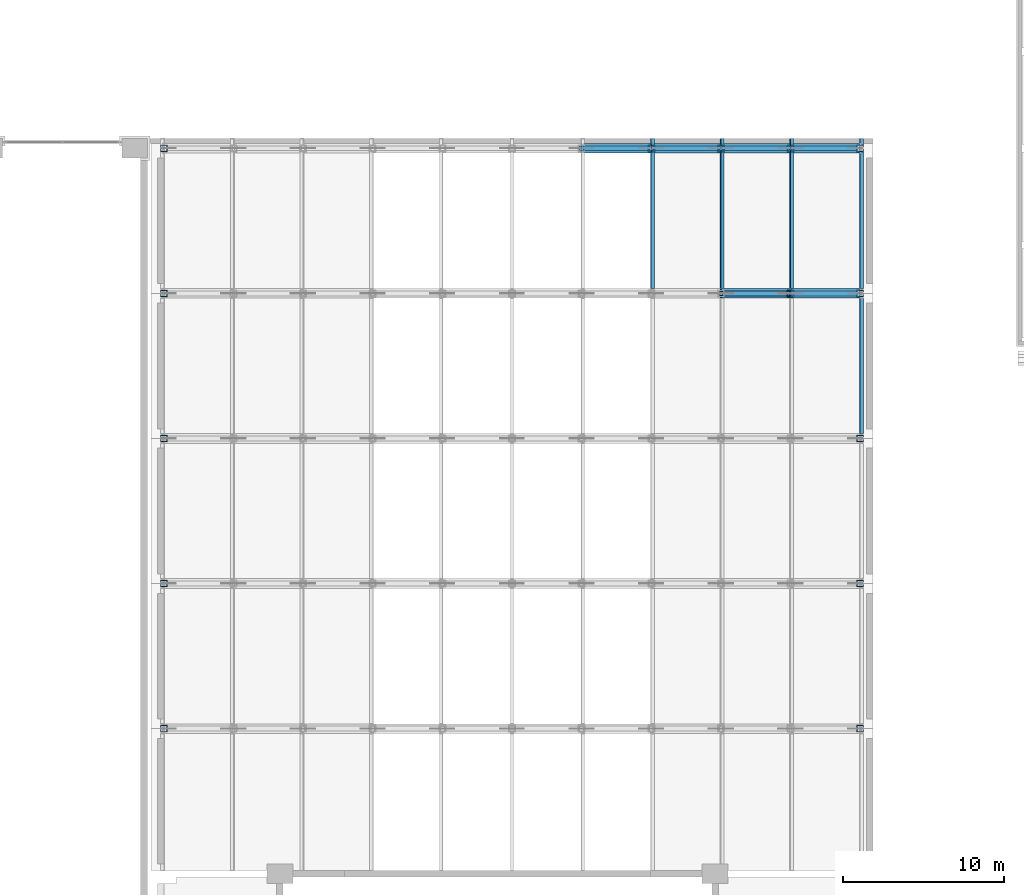
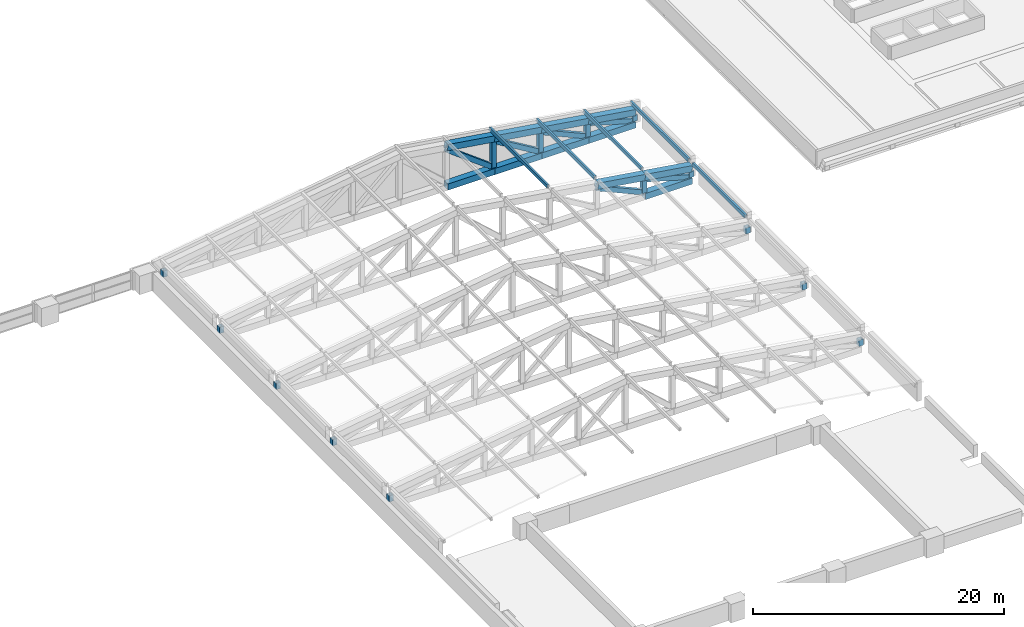
# One storey, part 14 of 32: 36 members.
"""IFC4 building model written with IfcOpenShell, lengths in metres."""

from ifc_helpers import new_model, si_unit, direction, frame, origin, origin_2d, place, context, subcontext, project, spatial, hollow_rectangle, extrude, material, material_profile, profile_set, type_object, element, save


model = new_model("IFC4")

# Units and contexts
model_context = context("Model", 3, precision=1e-05, world=origin(), true_north=direction((0.0, 1.0)))
body_context = subcontext(model_context, "Body", "Model", "MODEL_VIEW")
ifc_project = project(units=[si_unit("LENGTHUNIT", "METRE"), si_unit("AREAUNIT", "SQUARE_METRE"), si_unit("VOLUMEUNIT", "CUBIC_METRE"), si_unit("PLANEANGLEUNIT", "RADIAN"), si_unit("MASSUNIT", "GRAM", prefix="KILO")], contexts=[model_context])

# Site, building, storey
site_placement = place(None, origin())
site = spatial("IfcSite", under=ifc_project, at=site_placement, CompositionType="ELEMENT")
building_placement = place(site_placement, origin())
building = spatial("IfcBuilding", under=site, at=building_placement, Name="Aravalli Gate Trade Fair Centre", CompositionType="ELEMENT")
storey_placement = place(building_placement, frame((0.0, 0.0, 23.39990234375)))
storey = spatial("IfcBuildingStorey", under=building, at=storey_placement, Name="ROOF LEVEL 1", CompositionType="ELEMENT", Elevation=23.39990234375)

# Members
ifc_material = material(Name="Steel E350", Category="steel")
ifc_material_profile_1 = material_profile(ifc_material, hollow_rectangle(XDim=0.199951171875, YDim=0.300048828125, WallThickness=0.011962890625, at=origin_2d()), Name="RHS 300x200x12")
ifc_profile_set_1 = profile_set([ifc_material_profile_1], Name="Steel E350")
member_type_1 = type_object("IfcMemberType", Name="Congress roof purlin RHS 300x200x12", PredefinedType="PURLIN", material=ifc_profile_set_1)
for number, where, z_axis, x_axis, name in (
    (1, (137.10791015625, 100.300048828125, 3.9248046875), (0.0, 1.0, 0.0), (-0.988529762953, 0.0, 0.151026182356), "Roof purlin line 8 bay 5"),
    (2, (141.427978515625, 100.300048828125, 3.264892578125), (0.0, 1.0, 0.0), (-0.988529762953, 0.0, 0.151026182356), "Roof purlin line 9 bay 5"),
    (3, (145.748046875, 100.300048828125, 2.60498046875), (0.0, 1.0, 0.0), (-0.988529762953, 0.0, 0.151026182356), "Roof purlin line 10 bay 5"),
):
    element("IfcMember", number, at=place(storey_placement, frame(where, z_axis=z_axis, x_axis=x_axis)), inside=storey, type_object=member_type_1, Name=name, PredefinedType="PURLIN", context=body_context, shape_type="SweptSolid", body=[
        extrude(hollow_rectangle(XDim=0.199951171875, YDim=0.300048828125, WallThickness=0.011962890625, at=origin_2d()), origin(), (0.0, 0.0, 1.0), 9.300048828125),
    ])
member_1_placement = place(storey_placement, frame((150.068115234375, 91.300048828125, 1.94482421875), z_axis=(0.0, 1.0, 0.0), x_axis=(-0.988529762953, 0.0, 0.151026182356)))
element("IfcMember", 4, at=member_1_placement, inside=storey, type_object=member_type_1, Name="Roof purlin line 11 bay 4", PredefinedType="PURLIN", context=body_context, shape_type="SweptSolid", body=[
    extrude(hollow_rectangle(XDim=0.199951171875, YDim=0.300048828125, WallThickness=0.011962890625, at=origin_2d()), origin(), (0.0, 0.0, 1.0), 8.39990234375),
])
member_2_placement = place(storey_placement, frame((150.068115234375, 100.300048828125, 1.94482421875), z_axis=(0.0, 1.0, 0.0), x_axis=(-0.988529762953, 0.0, 0.151026182356)))
element("IfcMember", 5, at=member_2_placement, inside=storey, type_object=member_type_1, Name="Roof purlin line 11 bay 5", PredefinedType="PURLIN", context=body_context, shape_type="SweptSolid", body=[
    extrude(hollow_rectangle(XDim=0.199951171875, YDim=0.300048828125, WallThickness=0.011962890625, at=origin_2d()), origin(), (0.0, 0.0, 1.0), 9.300048828125),
])
ifc_material_profile_2 = material_profile(ifc_material, hollow_rectangle(XDim=0.60009765625, YDim=0.60009765625, WallThickness=0.02490234375, at=origin_2d()), Name="BOX 600x600x25")
ifc_profile_set_2 = profile_set([ifc_material_profile_2], Name="Steel E350")
member_type_2 = type_object("IfcMemberType", Name="Congress roof truss chord BOX 600x600x25", PredefinedType="CHORD", material=ifc_profile_set_2)
member_3_placement = place(storey_placement, frame((141.360107421875, 100.0, 2.820068359375), z_axis=(0.988531967762, 0.0, -0.151011750246), x_axis=(0.0, 1.0, 0.0)))
element("IfcMember", 6, at=member_3_placement, inside=storey, type_object=member_type_2, Name="Roof truss 100 top chord 9", PredefinedType="CHORD", context=body_context, shape_type="SweptSolid", body=[
    extrude(hollow_rectangle(XDim=0.60009765625, YDim=0.60009765625, WallThickness=0.02490234375, at=origin_2d()), origin(), (0.0, 0.0, 1.0), 4.369873046875),
])
member_4_placement = place(storey_placement, frame((145.679931640625, 100.0, 0.300048828125), z_axis=(1.0, 0.0, 0.0), x_axis=(0.0, 1.0, 0.0)))
element("IfcMember", 7, at=member_4_placement, inside=storey, type_object=member_type_2, Name="Roof truss 100 bottom chord 10", PredefinedType="CHORD", context=body_context, shape_type="SweptSolid", body=[
    extrude(hollow_rectangle(XDim=0.60009765625, YDim=0.60009765625, WallThickness=0.02490234375, at=origin_2d()), origin(), (0.0, 0.0, 1.0), 4.320068359375),
])
member_5_placement = place(storey_placement, frame((145.679931640625, 100.0, 2.16015625), z_axis=(0.988524901177, 0.0, -0.151058001288), x_axis=(0.0, 1.0, 0.0)))
element("IfcMember", 8, at=member_5_placement, inside=storey, type_object=member_type_2, Name="Roof truss 100 top chord 10", PredefinedType="CHORD", context=body_context, shape_type="SweptSolid", body=[
    extrude(hollow_rectangle(XDim=0.60009765625, YDim=0.60009765625, WallThickness=0.02490234375, at=origin_2d()), origin(), (0.0, 0.0, 1.0), 4.3701171875),
])
member_6_placement = place(storey_placement, frame((132.719970703125, 109.0, 0.300048828125), z_axis=(1.0, 0.0, 0.0), x_axis=(0.0, 1.0, 0.0)))
element("IfcMember", 9, at=member_6_placement, inside=storey, type_object=member_type_2, Name="Roof truss 109 bottom chord 7", PredefinedType="CHORD", context=body_context, shape_type="SweptSolid", body=[
    extrude(hollow_rectangle(XDim=0.60009765625, YDim=0.60009765625, WallThickness=0.02490234375, at=origin_2d()), origin(), (0.0, 0.0, 1.0), 4.320068359375),
])
member_7_placement = place(storey_placement, frame((132.719970703125, 109.0, 4.14013671875), z_axis=(0.988524901177, 0.0, -0.151058001288), x_axis=(0.0, 1.0, 0.0)))
element("IfcMember", 10, at=member_7_placement, inside=storey, type_object=member_type_2, Name="Roof truss 109 top chord 7", PredefinedType="CHORD", context=body_context, shape_type="SweptSolid", body=[
    extrude(hollow_rectangle(XDim=0.60009765625, YDim=0.60009765625, WallThickness=0.02490234375, at=origin_2d()), origin(), (0.0, 0.0, 1.0), 4.3701171875),
])
member_8_placement = place(storey_placement, frame((137.0400390625, 109.0, 0.300048828125), z_axis=(1.0, 0.0, 0.0), x_axis=(0.0, 1.0, 0.0)))
element("IfcMember", 11, at=member_8_placement, inside=storey, type_object=member_type_2, Name="Roof truss 109 bottom chord 8", PredefinedType="CHORD", context=body_context, shape_type="SweptSolid", body=[
    extrude(hollow_rectangle(XDim=0.60009765625, YDim=0.60009765625, WallThickness=0.02490234375, at=origin_2d()), origin(), (0.0, 0.0, 1.0), 4.320068359375),
])
member_9_placement = place(storey_placement, frame((137.0400390625, 109.0, 3.47998046875), z_axis=(0.988533241706, 0.0, -0.1510034107), x_axis=(0.0, 1.0, 0.0)))
element("IfcMember", 12, at=member_9_placement, inside=storey, type_object=member_type_2, Name="Roof truss 109 top chord 8", PredefinedType="CHORD", context=body_context, shape_type="SweptSolid", body=[
    extrude(hollow_rectangle(XDim=0.60009765625, YDim=0.60009765625, WallThickness=0.02490234375, at=origin_2d()), origin(), (0.0, 0.0, 1.0), 4.3701171875),
])
member_10_placement = place(storey_placement, frame((141.360107421875, 109.0, 0.300048828125), z_axis=(1.0, 0.0, 0.0), x_axis=(0.0, 1.0, 0.0)))
element("IfcMember", 13, at=member_10_placement, inside=storey, type_object=member_type_2, Name="Roof truss 109 bottom chord 9", PredefinedType="CHORD", context=body_context, shape_type="SweptSolid", body=[
    extrude(hollow_rectangle(XDim=0.60009765625, YDim=0.60009765625, WallThickness=0.02490234375, at=origin_2d()), origin(), (0.0, 0.0, 1.0), 4.31982421875),
])
member_11_placement = place(storey_placement, frame((141.360107421875, 109.0, 2.820068359375), z_axis=(0.988531967762, 0.0, -0.151011750246), x_axis=(0.0, 1.0, 0.0)))
element("IfcMember", 14, at=member_11_placement, inside=storey, type_object=member_type_2, Name="Roof truss 109 top chord 9", PredefinedType="CHORD", context=body_context, shape_type="SweptSolid", body=[
    extrude(hollow_rectangle(XDim=0.60009765625, YDim=0.60009765625, WallThickness=0.02490234375, at=origin_2d()), origin(), (0.0, 0.0, 1.0), 4.369873046875),
])
member_12_placement = place(storey_placement, frame((145.679931640625, 109.0, 0.300048828125), z_axis=(1.0, 0.0, 0.0), x_axis=(0.0, 1.0, 0.0)))
element("IfcMember", 15, at=member_12_placement, inside=storey, type_object=member_type_2, Name="Roof truss 109 bottom chord 10", PredefinedType="CHORD", context=body_context, shape_type="SweptSolid", body=[
    extrude(hollow_rectangle(XDim=0.60009765625, YDim=0.60009765625, WallThickness=0.02490234375, at=origin_2d()), origin(), (0.0, 0.0, 1.0), 4.320068359375),
])
member_13_placement = place(storey_placement, frame((145.679931640625, 109.0, 2.16015625), z_axis=(0.988524901177, 0.0, -0.151058001288), x_axis=(0.0, 1.0, 0.0)))
element("IfcMember", 16, at=member_13_placement, inside=storey, type_object=member_type_2, Name="Roof truss 109 top chord 10", PredefinedType="CHORD", context=body_context, shape_type="SweptSolid", body=[
    extrude(hollow_rectangle(XDim=0.60009765625, YDim=0.60009765625, WallThickness=0.02490234375, at=origin_2d()), origin(), (0.0, 0.0, 1.0), 4.3701171875),
])
ifc_material_profile_3 = material_profile(ifc_material, hollow_rectangle(XDim=0.300048828125, YDim=0.449951171875, WallThickness=0.02001953125, at=origin_2d()), Name="RHS 450x300x20")
ifc_profile_set_3 = profile_set([ifc_material_profile_3], Name="Steel E350")
member_type_3 = type_object("IfcMemberType", Name="Congress roof truss diagonal RHS 450x300x20", PredefinedType="BRACE", material=ifc_profile_set_3)
member_14_placement = place(storey_placement, frame((145.679931640625, 100.0, 0.60009765625), z_axis=(-0.914079770282, 0.0, 0.405534429564), x_axis=(0.0, -1.0, 0.0)))
element("IfcMember", 17, at=member_14_placement, inside=storey, type_object=member_type_3, Name="Roof truss 100 diagonal 9", PredefinedType="BRACE", context=body_context, shape_type="SweptSolid", body=[
    extrude(hollow_rectangle(XDim=0.300048828125, YDim=0.449951171875, WallThickness=0.02001953125, at=origin_2d()), origin(), (0.0, 0.0, 1.0), 4.725830078125),
])
member_15_placement = place(storey_placement, frame((150.0, 100.0, 0.60009765625), z_axis=(-0.960204557867, 0.0, 0.279297703269), x_axis=(0.0, -1.0, 0.0)))
element("IfcMember", 18, at=member_15_placement, inside=storey, type_object=member_type_3, Name="Roof truss 100 diagonal 10", PredefinedType="BRACE", context=body_context, shape_type="SweptSolid", body=[
    extrude(hollow_rectangle(XDim=0.300048828125, YDim=0.449951171875, WallThickness=0.02001953125, at=origin_2d()), origin(), (0.0, 0.0, 1.0), 4.4990234375),
])
member_16_placement = place(storey_placement, frame((137.0400390625, 109.0, 0.60009765625), z_axis=(-0.800309253103, 0.0, 0.599587440994), x_axis=(0.0, -1.0, 0.0)))
element("IfcMember", 19, at=member_16_placement, inside=storey, type_object=member_type_3, Name="Roof truss 109 diagonal 7", PredefinedType="BRACE", context=body_context, shape_type="SweptSolid", body=[
    extrude(hollow_rectangle(XDim=0.300048828125, YDim=0.449951171875, WallThickness=0.02001953125, at=origin_2d()), origin(), (0.0, 0.0, 1.0), 5.39794921875),
])
member_17_placement = place(storey_placement, frame((141.360107421875, 109.0, 0.60009765625), z_axis=(-0.858860337137, 0.0, 0.512209841074), x_axis=(0.0, -1.0, 0.0)))
element("IfcMember", 20, at=member_17_placement, inside=storey, type_object=member_type_3, Name="Roof truss 109 diagonal 8", PredefinedType="BRACE", context=body_context, shape_type="SweptSolid", body=[
    extrude(hollow_rectangle(XDim=0.300048828125, YDim=0.449951171875, WallThickness=0.02001953125, at=origin_2d()), origin(), (0.0, 0.0, 1.0), 5.030029296875),
])
member_18_placement = place(storey_placement, frame((145.679931640625, 109.0, 0.60009765625), z_axis=(-0.914079770282, 0.0, 0.405534429564), x_axis=(0.0, -1.0, 0.0)))
element("IfcMember", 21, at=member_18_placement, inside=storey, type_object=member_type_3, Name="Roof truss 109 diagonal 9", PredefinedType="BRACE", context=body_context, shape_type="SweptSolid", body=[
    extrude(hollow_rectangle(XDim=0.300048828125, YDim=0.449951171875, WallThickness=0.02001953125, at=origin_2d()), origin(), (0.0, 0.0, 1.0), 4.725830078125),
])
member_19_placement = place(storey_placement, frame((150.0, 109.0, 0.60009765625), z_axis=(-0.960204557867, 0.0, 0.279297703269), x_axis=(0.0, -1.0, 0.0)))
element("IfcMember", 22, at=member_19_placement, inside=storey, type_object=member_type_3, Name="Roof truss 109 diagonal 10", PredefinedType="BRACE", context=body_context, shape_type="SweptSolid", body=[
    extrude(hollow_rectangle(XDim=0.300048828125, YDim=0.449951171875, WallThickness=0.02001953125, at=origin_2d()), origin(), (0.0, 0.0, 1.0), 4.4990234375),
])
ifc_material_profile_4 = material_profile(ifc_material, hollow_rectangle(XDim=0.39990234375, YDim=0.39990234375, WallThickness=0.02001953125, at=origin_2d()), Name="BOX 400x400x20")
ifc_profile_set_4 = profile_set([ifc_material_profile_4], Name="Steel E350")
member_type_4 = type_object("IfcMemberType", Name="Congress roof truss post BOX 400x400x20", PredefinedType="POST", material=ifc_profile_set_4)
for number, where, z_axis, x_axis, name in (
    (23, (106.800048828125, 73.0, 0.60009765625), (0.0, 0.0, 1.0), (1.0, 0.0, 0.0), "Roof truss 73 post 0"),
    (24, (150.0, 73.0, 0.60009765625), (0.0, 0.0, 1.0), (1.0, 0.0, 0.0), "Roof truss 73 post 10"),
    (25, (106.800048828125, 82.0, 0.60009765625), (0.0, 0.0, 1.0), (1.0, 0.0, 0.0), "Roof truss 82 post 0"),
    (26, (150.0, 82.0, 0.60009765625), (0.0, 0.0, 1.0), (1.0, 0.0, 0.0), "Roof truss 82 post 10"),
    (27, (106.800048828125, 91.0, 0.60009765625), (0.0, 0.0, 1.0), (1.0, 0.0, 0.0), "Roof truss 91 post 0"),
    (28, (150.0, 91.0, 0.60009765625), (0.0, 0.0, 1.0), (1.0, 0.0, 0.0), "Roof truss 91 post 10"),
    (29, (106.800048828125, 100.0, 0.60009765625), (0.0, 0.0, 1.0), (1.0, 0.0, 0.0), "Roof truss 100 post 0"),
):
    element("IfcMember", number, at=place(storey_placement, frame(where, z_axis=z_axis, x_axis=x_axis)), inside=storey, type_object=member_type_4, Name=name, PredefinedType="POST", context=body_context, shape_type="SweptSolid", body=[
        extrude(hollow_rectangle(XDim=0.39990234375, YDim=0.39990234375, WallThickness=0.02001953125, at=origin_2d()), origin(), (0.0, 0.0, 1.0), 0.596435546875),
    ])
member_20_placement = place(storey_placement, frame((145.679931640625, 100.0, 0.60009765625), z_axis=(0.0, 0.0, 1.0), x_axis=(1.0, 0.0, 0.0)))
element("IfcMember", 30, at=member_20_placement, inside=storey, type_object=member_type_4, Name="Roof truss 100 post 9", PredefinedType="POST", context=body_context, shape_type="SweptSolid", body=[
    extrude(hollow_rectangle(XDim=0.39990234375, YDim=0.39990234375, WallThickness=0.02001953125, at=origin_2d()), origin(), (0.0, 0.0, 1.0), 1.256591796875),
])
for number, where, z_axis, x_axis, name in (
    (31, (150.0, 100.0, 0.60009765625), (0.0, 0.0, 1.0), (1.0, 0.0, 0.0), "Roof truss 100 post 10"),
    (32, (106.800048828125, 109.0, 0.60009765625), (0.0, 0.0, 1.0), (1.0, 0.0, 0.0), "Roof truss 109 post 0"),
):
    element("IfcMember", number, at=place(storey_placement, frame(where, z_axis=z_axis, x_axis=x_axis)), inside=storey, type_object=member_type_4, Name=name, PredefinedType="POST", context=body_context, shape_type="SweptSolid", body=[
        extrude(hollow_rectangle(XDim=0.39990234375, YDim=0.39990234375, WallThickness=0.02001953125, at=origin_2d()), origin(), (0.0, 0.0, 1.0), 0.596435546875),
    ])
member_21_placement = place(storey_placement, frame((137.0400390625, 109.0, 0.60009765625), z_axis=(0.0, 0.0, 1.0), x_axis=(1.0, 0.0, 0.0)))
element("IfcMember", 33, at=member_21_placement, inside=storey, type_object=member_type_4, Name="Roof truss 109 post 7", PredefinedType="POST", context=body_context, shape_type="SweptSolid", body=[
    extrude(hollow_rectangle(XDim=0.39990234375, YDim=0.39990234375, WallThickness=0.02001953125, at=origin_2d()), origin(), (0.0, 0.0, 1.0), 2.576416015625),
])
member_22_placement = place(storey_placement, frame((141.360107421875, 109.0, 0.60009765625), z_axis=(0.0, 0.0, 1.0), x_axis=(1.0, 0.0, 0.0)))
element("IfcMember", 34, at=member_22_placement, inside=storey, type_object=member_type_4, Name="Roof truss 109 post 8", PredefinedType="POST", context=body_context, shape_type="SweptSolid", body=[
    extrude(hollow_rectangle(XDim=0.39990234375, YDim=0.39990234375, WallThickness=0.02001953125, at=origin_2d()), origin(), (0.0, 0.0, 1.0), 1.91650390625),
])
member_23_placement = place(storey_placement, frame((145.679931640625, 109.0, 0.60009765625), z_axis=(0.0, 0.0, 1.0), x_axis=(1.0, 0.0, 0.0)))
element("IfcMember", 35, at=member_23_placement, inside=storey, type_object=member_type_4, Name="Roof truss 109 post 9", PredefinedType="POST", context=body_context, shape_type="SweptSolid", body=[
    extrude(hollow_rectangle(XDim=0.39990234375, YDim=0.39990234375, WallThickness=0.02001953125, at=origin_2d()), origin(), (0.0, 0.0, 1.0), 1.256591796875),
])
member_24_placement = place(storey_placement, frame((150.0, 109.0, 0.60009765625), z_axis=(0.0, 0.0, 1.0), x_axis=(1.0, 0.0, 0.0)))
element("IfcMember", 36, at=member_24_placement, inside=storey, type_object=member_type_4, Name="Roof truss 109 post 10", PredefinedType="POST", context=body_context, shape_type="SweptSolid", body=[
    extrude(hollow_rectangle(XDim=0.39990234375, YDim=0.39990234375, WallThickness=0.02001953125, at=origin_2d()), origin(), (0.0, 0.0, 1.0), 0.596435546875),
])

save(model, "model.ifc")
